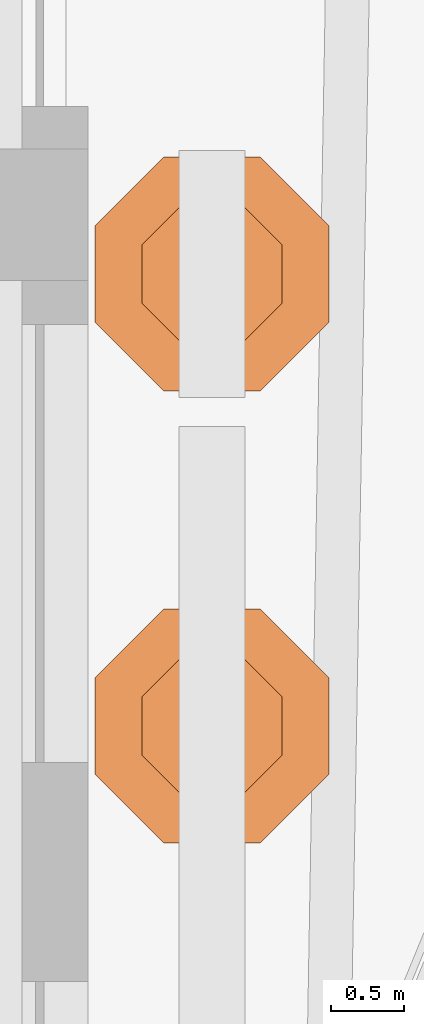
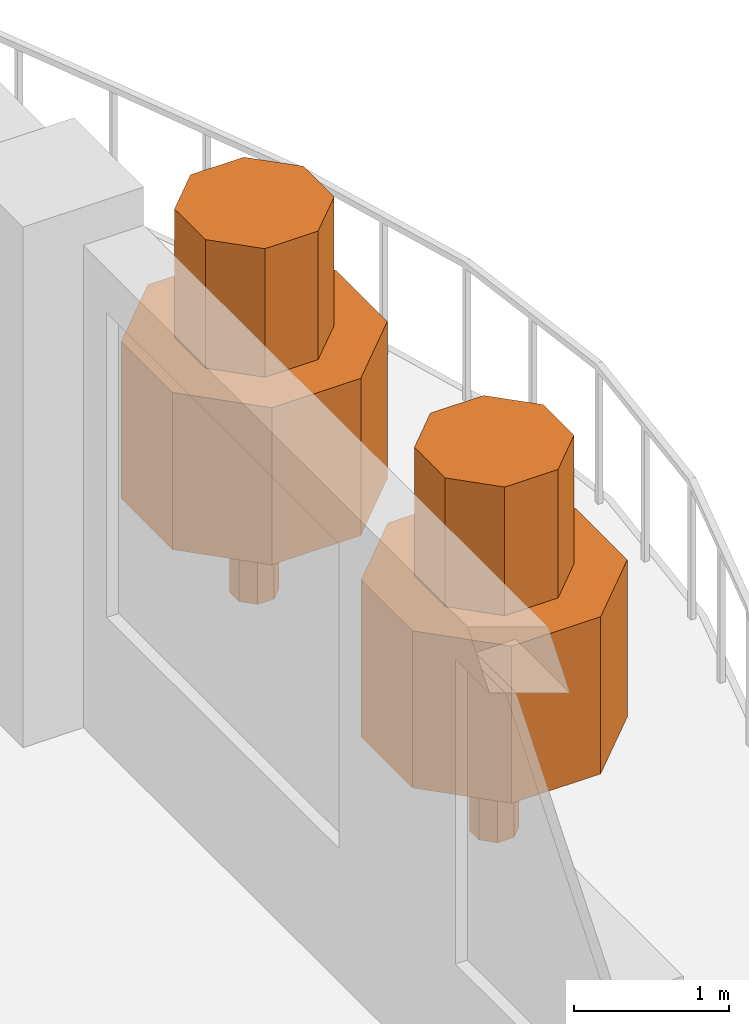
# One storey, part 14 of 14: 2 geographic elements.
"""IFC4 building model written with IfcOpenShell, lengths in metres."""

from ifc_helpers import new_model, si_unit, direction, frame, origin, place, context, subcontext, project, spatial, polyline, outline, extrude, material, type_object, element, save


model = new_model("IFC4")

# Units and contexts
model_context = context("Model", 3, precision=1e-05, world=origin(), true_north=direction((0.0, 1.0)))
body_context = subcontext(model_context, "Body", "Model", "MODEL_VIEW")
ifc_project = project(units=[si_unit("LENGTHUNIT", "METRE"), si_unit("AREAUNIT", "SQUARE_METRE"), si_unit("VOLUMEUNIT", "CUBIC_METRE"), si_unit("PLANEANGLEUNIT", "RADIAN"), si_unit("MASSUNIT", "GRAM", prefix="KILO")], contexts=[model_context])

# Site, building, storey
site_placement = place(None, origin())
site = spatial("IfcSite", under=ifc_project, at=site_placement, CompositionType="ELEMENT")
building_placement = place(site_placement, origin())
building = spatial("IfcBuilding", under=site, at=building_placement, Name="Cypress Arch Tower", CompositionType="ELEMENT")
storey_placement = place(building_placement, frame((0.0, 0.0, 325.39990234375)))
storey = spatial("IfcBuildingStorey", under=building, at=storey_placement, Name="L74", CompositionType="ELEMENT", Elevation=325.39990234375)

# Geographic elements
ifc_material = material(Name="Foliage and planting")
geographic_element_type = type_object("IfcGeographicElementType", Name="Balcony tree TR", PredefinedType="USERDEFINED", material=ifc_material)
for number, where, z_axis, x_axis, name in (
    (1, (25.60009765625, 1.0, 0.60009765625), (0.0, 0.0, 1.0), (1.0, 0.0, 0.0), "Balcony tree L74-C17.1"),
    (2, (25.60009765625, 4.095703125, 0.60009765625), (0.0, 0.0, 1.0), (1.0, 0.0, 0.0), "Balcony tree L74-C17.2"),
):
    element("IfcGeographicElement", number, at=place(storey_placement, frame(where, z_axis=z_axis, x_axis=x_axis)), inside=storey, type_object=geographic_element_type, Name=name, ObjectType="TREE", PredefinedType="USERDEFINED", context=body_context, shape_type="SweptSolid", body=[
        extrude(outline(polyline([(0.14990234375, 0.06201171875), (0.06201171875, 0.14990234375), (-0.06201171875, 0.14990234375), (-0.14990234375, 0.06201171875), (-0.14990234375, -0.06201171875), (-0.06201171875, -0.14990234375), (0.06201171875, -0.14990234375), (0.14990234375, -0.06201171875), (0.14990234375, 0.06201171875)])), origin(), (0.0, 0.0, 1.0), 0.89990234375),
        extrude(outline(polyline([(0.800048828125, 0.331298828125), (0.331298828125, 0.800048828125), (-0.331298828125, 0.800048828125), (-0.800048828125, 0.331298828125), (-0.800048828125, -0.331298828125), (-0.331298828125, -0.800048828125), (0.331298828125, -0.800048828125), (0.800048828125, -0.331298828125), (0.800048828125, 0.331298828125)])), frame((0.0, 0.0, 0.800048828125)), (0.0, 0.0, 1.0), 1.237548828125),
        extrude(outline(polyline([(0.47998046875, 0.19873046875), (0.19873046875, 0.47998046875), (-0.19873046875, 0.47998046875), (-0.47998046875, 0.19873046875), (-0.47998046875, -0.19873046875), (-0.19873046875, -0.47998046875), (0.19873046875, -0.47998046875), (0.47998046875, -0.19873046875), (0.47998046875, 0.19873046875)])), frame((0.0, 0.0, 2.03759765625)), (0.0, 0.0, 1.0), 1.012451171875),
    ])

save(model, "model.ifc")
